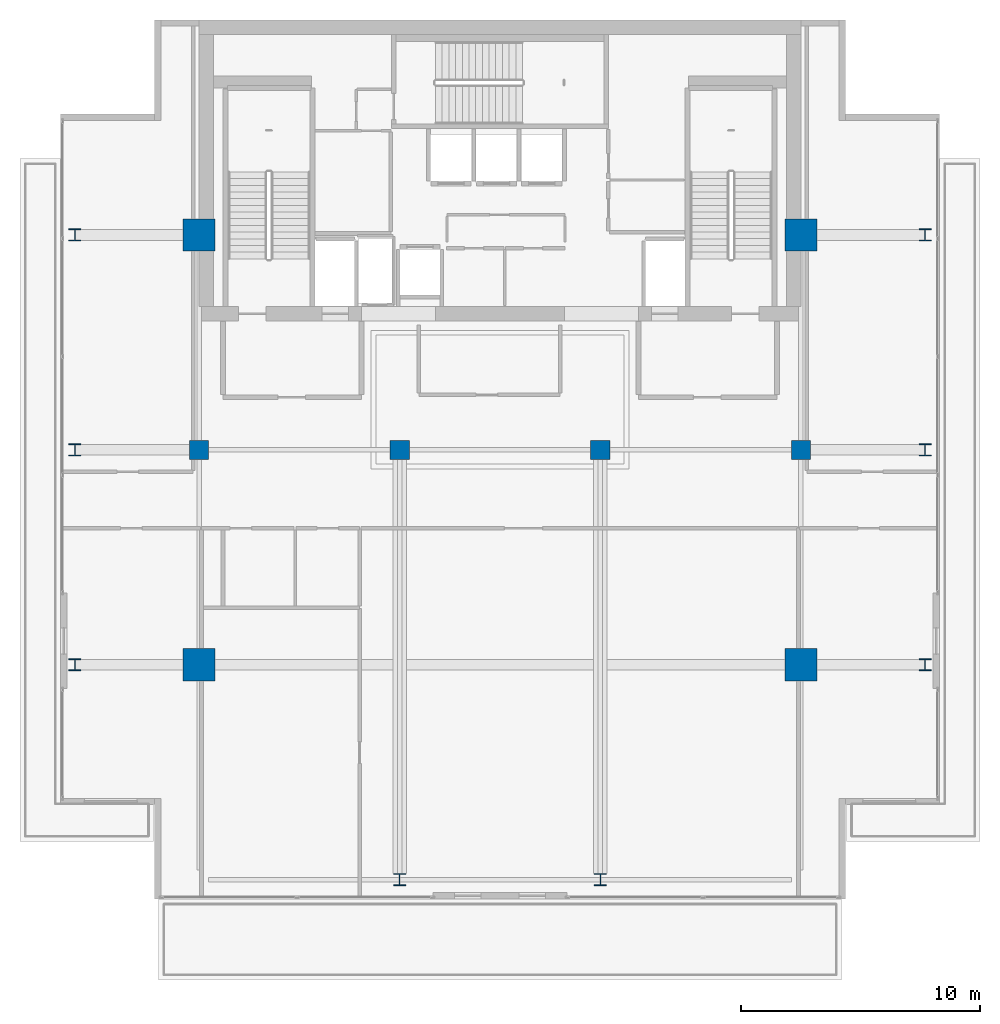
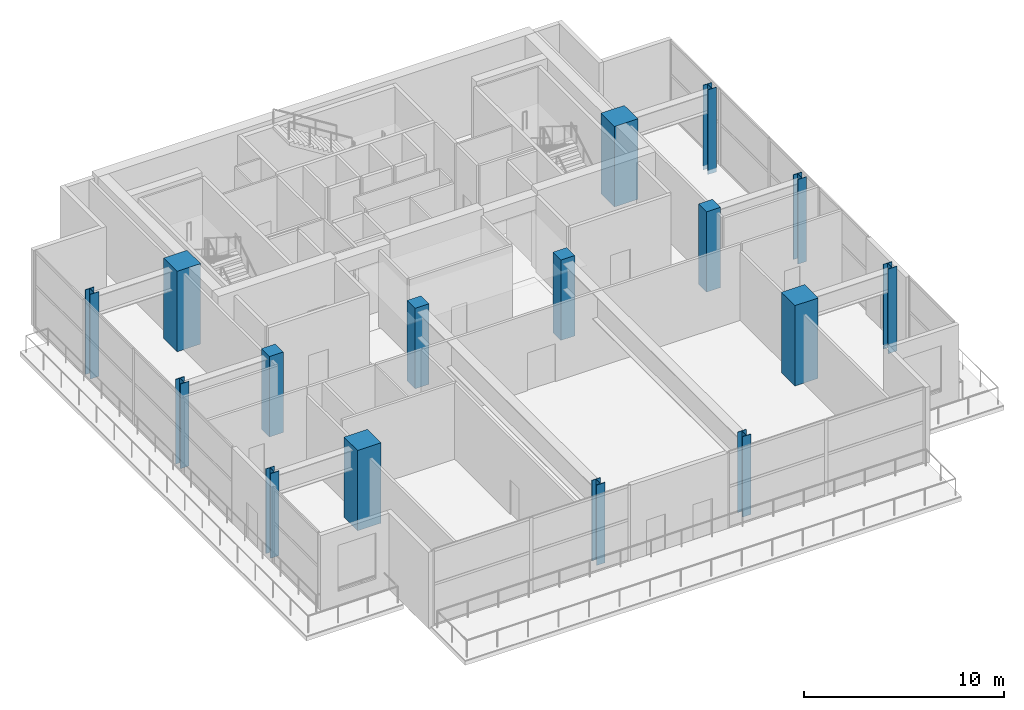
# One storey, part 1 of 22: 16 columns.
"""IFC4 building model written with IfcOpenShell, lengths in metres."""

import ifcopenshell
import ifcopenshell.guid

model = None  # the IFC model being written
_history = None  # IfcOwnerHistory: only IFC2X3 demands one
_inside = {}  # id of a spatial element -> (the spatial element, [elements in it])
_under = {}  # id of a project, library or spatial element -> (it, [spatial elements below it])
_declared = {}  # id of a project -> (the project, [libraries it declares])
_typed = {}  # id of a type object -> (the type object, [elements of that type])
_made_of = {}  # id of a material, layer set ... -> (it, [elements and type objects made of it])


def new_model(schema):
    """Start an empty IFC model of exactly this schema.

    Asked for "IFC4X3", IfcOpenShell would pick the latest addendum, in which some entities
    have other attributes; the version numbers below select the first issue.
    IFC2X3 requires an IfcOwnerHistory on every rooted entity: one is made here for all.
    """
    global model, _history
    if schema == "IFC4X3":
        model = ifcopenshell.file(schema_version=(4, 3, 0, 0))
    else:
        model = ifcopenshell.file(schema=schema)
    _inside.clear()
    _under.clear()
    _declared.clear()
    _typed.clear()
    _made_of.clear()
    _history = None
    if model.schema == "IFC2X3":
        org = make("IfcOrganization", Name="unknown")
        user = make(
            "IfcPersonAndOrganization",
            ThePerson=make("IfcPerson", FamilyName="unknown"),
            TheOrganization=org,
        )
        app = make(
            "IfcApplication",
            ApplicationDeveloper=org,
            Version="unknown",
            ApplicationFullName="unknown",
            ApplicationIdentifier="unknown",
        )
        _history = make(
            "IfcOwnerHistory",
            OwningUser=user,
            OwningApplication=app,
            ChangeAction="ADDED",
            CreationDate=0,
        )
    return model


def make(cls, **values):
    """One entity of the class cls with the attributes given. An attribute that is None is left unset."""
    return model.create_entity(
        cls, **{name: value for name, value in values.items() if value is not None}
    )


def rooted(cls, **values):
    """An entity with a GlobalId (a new one), such as an element, a storey or a relation."""
    return make(cls, GlobalId=ifcopenshell.guid.new(), OwnerHistory=_history, **values)


def si_unit(unit_type, name, prefix=None):
    """IfcSIUnit, for example si_unit("LENGTHUNIT", "METRE", prefix="MILLI")."""
    return make("IfcSIUnit", UnitType=unit_type, Prefix=prefix, Name=name)


def assignment(units):
    """IfcUnitAssignment: the units of a project."""
    return None if units is None else make("IfcUnitAssignment", Units=units)


def point(xyz):
    """IfcCartesianPoint."""
    return None if xyz is None else make("IfcCartesianPoint", Coordinates=xyz)


def direction(xyz):
    """IfcDirection."""
    return None if xyz is None else make("IfcDirection", DirectionRatios=xyz)


def frame(location, z_axis=None, x_axis=None):
    """IfcAxis2Placement3D, a coordinate frame: its origin and axes. An axis left out is left unset."""
    return make(
        "IfcAxis2Placement3D",
        Location=point(location),
        Axis=direction(z_axis),
        RefDirection=direction(x_axis),
    )


def frame_2d(location, x_axis=None):
    """IfcAxis2Placement2D, a coordinate frame in the plane: its origin and x axis."""
    return make(
        "IfcAxis2Placement2D", Location=point(location), RefDirection=direction(x_axis)
    )


def origin():
    """The frame at (0, 0, 0) with its axes left unset."""
    return frame((0.0, 0.0, 0.0))


def origin_2d():
    """The frame at (0, 0) in the plane with its x axis left unset."""
    return frame_2d((0.0, 0.0))


def place(relative_to, where):
    """IfcLocalPlacement: puts the frame where relative to a parent placement (None: the world)."""
    return make(
        "IfcLocalPlacement", PlacementRelTo=relative_to, RelativePlacement=where
    )


def context(
    kind, dimensions, precision=None, world=None, true_north=None, identifier=None
):
    """IfcGeometricRepresentationContext, for example the 3D "Model" context."""
    return make(
        "IfcGeometricRepresentationContext",
        ContextIdentifier=identifier,
        ContextType=kind,
        CoordinateSpaceDimension=dimensions,
        Precision=precision,
        WorldCoordinateSystem=world,
        TrueNorth=true_north,
    )


def subcontext(parent, identifier, kind, view, scale=None):
    """IfcGeometricRepresentationSubContext, for example "Body" below "Model"."""
    return make(
        "IfcGeometricRepresentationSubContext",
        ContextIdentifier=identifier,
        ContextType=kind,
        ParentContext=parent,
        TargetScale=scale,
        TargetView=view,
    )


def project(units=None, contexts=None):
    """IfcProject with its units and contexts."""
    return rooted(
        "IfcProject",
        Name="project",
        RepresentationContexts=contexts,
        UnitsInContext=assignment(units),
    )


def spatial(cls, under=None, at=None, **own):
    """A site, building, storey or space (cls), placed at a placement, below another one or the project."""
    s = rooted(cls, ObjectPlacement=at, **own)
    if under is not None:
        _under.setdefault(under.id(), (under, []))[1].append(s)
    return s


def profile(cls, at=None, kind="AREA", **sizes):
    """A parametric profile (cls). Its sizes go by their IFC names, for example OverallWidth=200.0."""
    return make(cls, ProfileType=kind, Position=at, **sizes)


def rectangle(**sizes):
    """IfcRectangleProfileDef."""
    return profile("IfcRectangleProfileDef", **sizes)


def i_section(**sizes):
    """IfcIShapeProfileDef."""
    return profile("IfcIShapeProfileDef", **sizes)


def extrude(swept, where, along, depth):
    """IfcExtrudedAreaSolid: the profile swept, set in the frame where, extruded along a direction by depth."""
    return make(
        "IfcExtrudedAreaSolid",
        SweptArea=swept,
        Position=where,
        ExtrudedDirection=direction(along),
        Depth=depth,
    )


def shape(context_of_items, identifier, shape_type, items):
    """IfcShapeRepresentation: the items that make up one representation, for example the "Body"."""
    return make(
        "IfcShapeRepresentation",
        ContextOfItems=context_of_items,
        RepresentationIdentifier=identifier,
        RepresentationType=shape_type,
        Items=items,
    )


def material(Name=None, Category=None):
    """IfcMaterial."""
    return make("IfcMaterial", Name=Name, Category=Category)


def material_profile(
    of_material, cross_section, Name=None, Category=None, Priority=None
):
    """IfcMaterialProfile: a cross section and its material."""
    return make(
        "IfcMaterialProfile",
        Name=Name,
        Material=of_material,
        Profile=cross_section,
        Priority=Priority,
        Category=Category,
    )


def profile_set(profiles, Name=None, composite=None):
    """IfcMaterialProfileSet."""
    return make(
        "IfcMaterialProfileSet",
        Name=Name,
        MaterialProfiles=profiles,
        CompositeProfile=composite,
    )


def made_of(thing, what):
    """Note that an element or type object is made of a material, layer set ...; save() writes the relation."""
    if what is not None:
        _made_of.setdefault(what.id(), (what, []))[1].append(thing)
    return thing


def type_object(cls, material=None, **own):
    """A type object (cls), such as IfcWallType, which elements share."""
    return made_of(rooted(cls, **own), material)


def element(
    cls,
    number,
    at=None,
    inside=None,
    cuts=None,
    type_object=None,
    material=None,
    context=None,
    identifier="Body",
    shape_type=None,
    held_by="IfcProductDefinitionShape",
    body=None,
    shapes=None,
    **own,
):
    """One element of the class cls, such as IfcWall. Its Tag is "e" and its number.

    at: its placement. inside: the storey or other place that contains it. cuts: it is an
    opening in that element (IfcRelVoidsElement). A single representation is given by context,
    identifier, shape_type and body (its items); several are given by shapes. held_by: the class
    of the entity that holds the representations. save() writes the other relations.
    """
    e = rooted(cls, Tag="e%d" % number, ObjectPlacement=at, **own)
    if body is not None:
        shapes = [shape(context, identifier, shape_type, body)]
    if shapes is not None:
        e.Representation = make(held_by, Representations=shapes)
    if inside is not None:
        _inside.setdefault(inside.id(), (inside, []))[1].append(e)
    if cuts is not None:
        rooted(
            "IfcRelVoidsElement", RelatingBuildingElement=cuts, RelatedOpeningElement=e
        )
    if type_object is not None:
        _typed.setdefault(type_object.id(), (type_object, []))[1].append(e)
    return made_of(e, material)


def aggregate(whole, parts):
    """IfcRelAggregates: a whole, such as a stair, and the parts it consists of."""
    return rooted("IfcRelAggregates", RelatingObject=whole, RelatedObjects=parts)


def save(model, path):
    """Write the relations noted so far, then the file.

    IfcRelAggregates (storeys below a building ...), IfcRelContainedInSpatialStructure (elements
    in a storey), IfcRelDefinesByType, IfcRelAssociatesMaterial and IfcRelDeclares: one each for
    every whole, place, type object, material and project.
    """
    for whole, parts in _under.values():
        aggregate(whole, parts)
    for where, things in _inside.values():
        rooted(
            "IfcRelContainedInSpatialStructure",
            RelatedElements=things,
            RelatingStructure=where,
        )
    for kind, things in _typed.values():
        rooted("IfcRelDefinesByType", RelatedObjects=things, RelatingType=kind)
    for what, things in _made_of.values():
        rooted("IfcRelAssociatesMaterial", RelatedObjects=things, RelatingMaterial=what)
    for by, libraries in _declared.values():
        rooted("IfcRelDeclares", RelatingContext=by, RelatedDefinitions=libraries)
    model.write(path)


model = new_model("IFC4")

# Units and contexts
model_context = context("Model", 3, precision=1e-05, world=origin(), true_north=direction((0.0, 1.0)))
body_context = subcontext(model_context, "Body", "Model", "MODEL_VIEW")
ifc_project = project(units=[si_unit("LENGTHUNIT", "METRE"), si_unit("AREAUNIT", "SQUARE_METRE"), si_unit("VOLUMEUNIT", "CUBIC_METRE"), si_unit("PLANEANGLEUNIT", "RADIAN"), si_unit("MASSUNIT", "GRAM", prefix="KILO")], contexts=[model_context])

# Site, building, storey
site_placement = place(None, origin())
site = spatial("IfcSite", under=ifc_project, at=site_placement, CompositionType="ELEMENT")
building_placement = place(site_placement, origin())
building = spatial("IfcBuilding", under=site, at=building_placement, Name="Maruvema Waterfront Hotel and Observation Tower", CompositionType="ELEMENT")
storey_placement = place(building_placement, frame((0.0, 0.0, 354.199951171875)))
storey = spatial("IfcBuildingStorey", under=building, at=storey_placement, Name="L87", CompositionType="ELEMENT", Elevation=354.199951171875)

# Columns
ifc_material_1 = material(Name="Concrete C70/85", Category="concrete")
ifc_material_profile_1 = material_profile(ifc_material_1, rectangle(XDim=1.35009765625, YDim=1.35009765625, at=origin_2d()), Name="MC1350x1350")
ifc_profile_set_1 = profile_set([ifc_material_profile_1], Name="Concrete C70/85")
column_type_1 = type_object("IfcColumnType", Name="Continuous Mega-Column MC1350x1350", PredefinedType="COLUMN", material=ifc_profile_set_1)
for number, where, z_axis, x_axis, name in (
    (1, (25.199951171875, 27.0, 0.0), (0.0, 0.0, 1.0), (1.0, 0.0, 0.0), "L87 Continuous Mega-Column MC-01"),
    (2, (50.39990234375, 27.0, 0.0), (0.0, 0.0, 1.0), (1.0, 0.0, 0.0), "L87 Continuous Mega-Column MC-02"),
    (3, (25.199951171875, 45.0, 0.0), (0.0, 0.0, 1.0), (1.0, 0.0, 0.0), "L87 Continuous Mega-Column MC-03"),
    (4, (50.39990234375, 45.0, 0.0), (0.0, 0.0, 1.0), (1.0, 0.0, 0.0), "L87 Continuous Mega-Column MC-04"),
):
    element("IfcColumn", number, at=place(storey_placement, frame(where, z_axis=z_axis, x_axis=x_axis)), inside=storey, type_object=column_type_1, Name=name, PredefinedType="COLUMN", context=body_context, shape_type="SweptSolid", body=[
        extrude(rectangle(XDim=1.35009765625, YDim=1.35009765625, at=origin_2d()), origin(), (0.0, 0.0, 1.0), 4.900146484375),
    ])
ifc_material_2 = material(Name="Concrete C60/75", Category="concrete")
ifc_material_profile_2 = material_profile(ifc_material_2, rectangle(XDim=0.800048828125, YDim=0.800048828125, at=origin_2d()), Name="RC800x800")
ifc_profile_set_2 = profile_set([ifc_material_profile_2], Name="Concrete C60/75")
column_type_2 = type_object("IfcColumnType", Name="Reinforced Concrete Column RC800x800", PredefinedType="COLUMN", material=ifc_profile_set_2)
for number, where, z_axis, x_axis, name in (
    (5, (25.199951171875, 36.0, 0.0), (0.0, 0.0, 1.0), (1.0, 0.0, 0.0), "L87 Column C-4E"),
    (6, (33.60009765625, 36.0, 0.0), (0.0, 0.0, 1.0), (1.0, 0.0, 0.0), "L87 Column C-5E"),
    (7, (42.0, 36.0, 0.0), (0.0, 0.0, 1.0), (1.0, 0.0, 0.0), "L87 Column C-6E"),
    (8, (50.39990234375, 36.0, 0.0), (0.0, 0.0, 1.0), (1.0, 0.0, 0.0), "L87 Column C-7E"),
):
    element("IfcColumn", number, at=place(storey_placement, frame(where, z_axis=z_axis, x_axis=x_axis)), inside=storey, type_object=column_type_2, Name=name, PredefinedType="COLUMN", context=body_context, shape_type="SweptSolid", body=[
        extrude(rectangle(XDim=0.800048828125, YDim=0.800048828125, at=origin_2d()), origin(), (0.0, 0.0, 1.0), 4.900146484375),
    ])
ifc_material_3 = material(Name="Steel ABNT NBR 7007 AR 415 (ASTM A572 Grade 50)", Category="steel")
ifc_material_profile_3 = material_profile(ifc_material_3, i_section(OverallWidth=0.5, OverallDepth=0.5, WebThickness=0.02197265625, FlangeThickness=0.031982421875, at=origin_2d()), Name="CVS500x223")
ifc_profile_set_3 = profile_set([ifc_material_profile_3], Name="Steel ABNT NBR 7007 AR 415 (ASTM A572 Grade 50)")
column_type_3 = type_object("IfcColumnType", Name="Structural Steel Column CVS500x223", PredefinedType="COLUMN", material=ifc_profile_set_3)
for number, where, z_axis, x_axis, name in (
    (9, (33.60009765625, 18.0, 0.0), (0.0, 0.0, 1.0), (1.0, 0.0, 0.0), "L87 Column C-5C"),
    (10, (42.0, 18.0, 0.0), (0.0, 0.0, 1.0), (1.0, 0.0, 0.0), "L87 Column C-6C"),
):
    element("IfcColumn", number, at=place(storey_placement, frame(where, z_axis=z_axis, x_axis=x_axis)), inside=storey, type_object=column_type_3, Name=name, PredefinedType="COLUMN", context=body_context, shape_type="SweptSolid", body=[
        extrude(i_section(OverallWidth=0.5, OverallDepth=0.5, WebThickness=0.02197265625, FlangeThickness=0.031982421875, at=origin_2d()), origin(), (0.0, 0.0, 1.0), 4.900146484375),
    ])
for number, where, z_axis, x_axis, name in (
    (11, (20.0, 27.0, -0.260009765625), (0.0, 0.0, 1.0), (1.0, 0.0, 0.0), "L87 Column C-OB1W27"),
    (12, (55.60009765625, 27.0, -0.260009765625), (0.0, 0.0, 1.0), (1.0, 0.0, 0.0), "L87 Column C-OB1E27"),
    (13, (20.0, 36.0, -0.260009765625), (0.0, 0.0, 1.0), (1.0, 0.0, 0.0), "L87 Column C-OB1W36"),
    (14, (55.60009765625, 36.0, -0.260009765625), (0.0, 0.0, 1.0), (1.0, 0.0, 0.0), "L87 Column C-OB1E36"),
    (15, (20.0, 45.0, -0.260009765625), (0.0, 0.0, 1.0), (1.0, 0.0, 0.0), "L87 Column C-OB1W45"),
    (16, (55.60009765625, 45.0, -0.260009765625), (0.0, 0.0, 1.0), (1.0, 0.0, 0.0), "L87 Column C-OB1E45"),
):
    element("IfcColumn", number, at=place(storey_placement, frame(where, z_axis=z_axis, x_axis=x_axis)), inside=storey, type_object=column_type_3, Name=name, PredefinedType="COLUMN", context=body_context, shape_type="SweptSolid", body=[
        extrude(i_section(OverallWidth=0.5, OverallDepth=0.5, WebThickness=0.02197265625, FlangeThickness=0.031982421875, at=origin_2d()), origin(), (0.0, 0.0, 1.0), 5.16015625),
    ])

save(model, "model.ifc")
